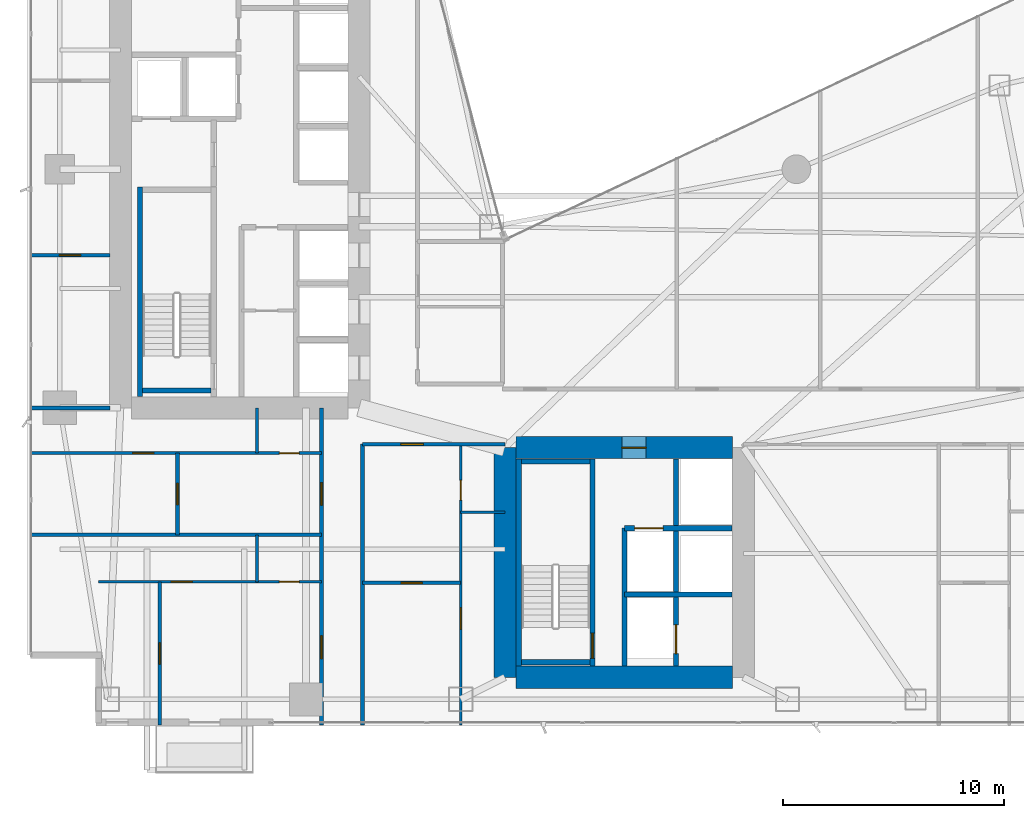
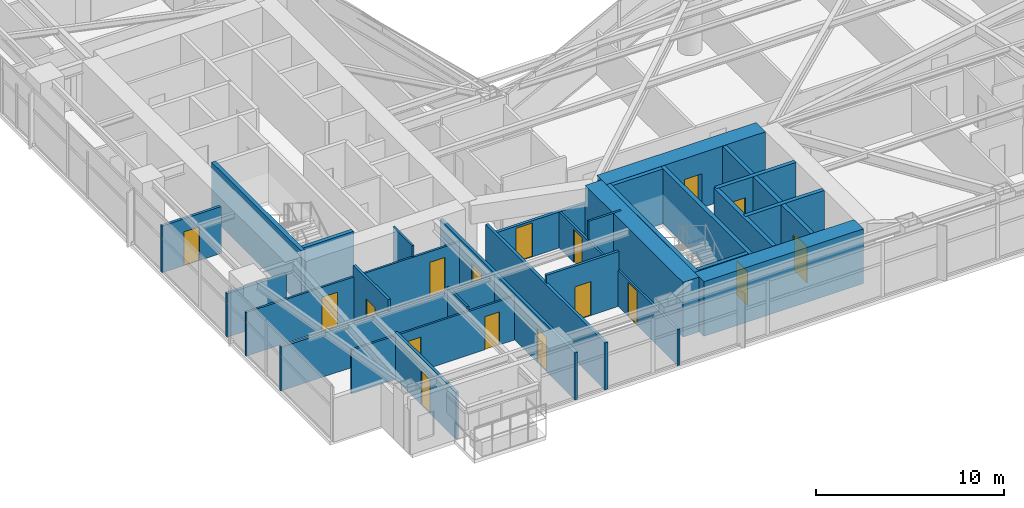
# One storey, part 22 of 29: 28 walls, 17 doors, 17 openings.
"""IFC4 building model written with IfcOpenShell, lengths in metres."""

from ifc_helpers import new_model, si_unit, direction, frame, frame_2d, origin, place, context, subcontext, project, spatial, rectangle, extrude, material, layer, layer_set, type_object, element, fill, save


model = new_model("IFC4")

# Units and contexts
model_context = context("Model", 3, precision=1e-05, world=origin(), true_north=direction((0.0, 1.0)))
body_context = subcontext(model_context, "Body", "Model", "MODEL_VIEW")
ifc_project = project(units=[si_unit("LENGTHUNIT", "METRE"), si_unit("AREAUNIT", "SQUARE_METRE"), si_unit("VOLUMEUNIT", "CUBIC_METRE"), si_unit("PLANEANGLEUNIT", "RADIAN"), si_unit("MASSUNIT", "GRAM", prefix="KILO")], contexts=[model_context])

# Site, building, storey
site_placement = place(None, origin())
site = spatial("IfcSite", under=ifc_project, at=site_placement, CompositionType="ELEMENT")
building_placement = place(site_placement, origin())
building = spatial("IfcBuilding", under=site, at=building_placement, Name="Calvorn Quay Hotel", CompositionType="ELEMENT")
storey_placement = place(building_placement, frame((0.0, 0.0, 85.0)))
storey = spatial("IfcBuildingStorey", under=building, at=storey_placement, Name="L20", CompositionType="ELEMENT", Elevation=85.0)

# Wall
ifc_material_1 = material(Name="Concrete C60", Category="concrete")
ifc_layer_1 = layer(ifc_material_1, 1.0)
ifc_layer_set_1 = layer_set([ifc_layer_1], Name="WL-CORE-1000")
wall_type_1 = type_object("IfcWallType", Name="WL-CORE-1000", PredefinedType="SHEAR", material=ifc_layer_set_1)
wall_1_placement = place(storey_placement, frame((21.60009765625, 4.60009765625, 0.0), z_axis=(0.0, 0.0, 1.0), x_axis=(0.0, 1.0, 0.0)))
element("IfcWall", 1, at=wall_1_placement, inside=storey, type_object=wall_type_1, Name="East Core Shear Wall W (L20)", PredefinedType="SHEAR", context=body_context, shape_type="SweptSolid", body=[
    extrude(rectangle(XDim=10.39990234375, YDim=1.0, at=frame_2d((5.199951171875, 0.0))), origin(), (0.0, 0.0, 1.0), 3.56005859375),
])

# Wall, opening, door
wall_2_placement = place(storey_placement, frame((22.10009765625, 15.0, 0.0), z_axis=(0.0, 0.0, 1.0), x_axis=(1.0, 0.0, 0.0)))
wall_2 = element("IfcWall", 2, at=wall_2_placement, inside=storey, type_object=wall_type_1, Name="East Core Shear Wall N (L20)", PredefinedType="SHEAR", context=body_context, shape_type="SweptSolid", body=[
    extrude(rectangle(XDim=9.7998046875, YDim=1.0, at=frame_2d((4.89990234375, 0.0))), origin(), (0.0, 0.0, 1.0), 3.56005859375),
])
opening_1_placement = place(wall_2_placement, frame((4.800048828125, 0.0, 0.0)))
opening_1 = element("IfcOpeningElement", 3, at=opening_1_placement, cuts=wall_2, Name="Opening D-L20-FLE", PredefinedType="OPENING", context=body_context, shape_type="SweptSolid", body=[
    extrude(rectangle(XDim=1.10009765625, YDim=2.199951171875, at=frame_2d((0.550048828125, 1.10009765625))), frame((0.0, 0.510009765625, 0.0), z_axis=(0.0, -1.0, 0.0), x_axis=(1.0, 0.0, 0.0)), (0.0, 0.0, 1.0), 1.02001953125),
])
ifc_material_2 = material(Name="Smoke-Sealed Steel Class A Fire Door", Category="steel")
door_type_1 = type_object("IfcDoorType", Name="DR-FFLOBBY-1100", OperationType="NOTDEFINED", PredefinedType="DOOR", material=ifc_material_2)
door_1_placement = place(opening_1_placement, origin())
door_1 = element("IfcDoor", 4, at=door_1_placement, inside=storey, type_object=door_type_1, Name="East Firefighting Lobby Fire Door (L20)", OperationType="SINGLE_SWING_RIGHT", OverallHeight=2.199951171875, OverallWidth=1.10009765625, PredefinedType="DOOR", context=body_context, shape_type="SweptSolid", body=[
    extrude(rectangle(XDim=1.10009765625, YDim=2.199951171875, at=frame_2d((0.550048828125, 1.10009765625))), frame((0.0, 0.02490234375, 0.0), z_axis=(0.0, -1.0, 0.0), x_axis=(1.0, 0.0, 0.0)), (0.0, 0.0, 1.0), 0.050048828125),
])
fill(opening_1, door_1)

# Walls
wall_3_placement = place(storey_placement, frame((22.10009765625, 4.60009765625, 0.0), z_axis=(0.0, 0.0, 1.0), x_axis=(1.0, 0.0, 0.0)))
element("IfcWall", 5, at=wall_3_placement, inside=storey, type_object=wall_type_1, Name="East Core Shear Wall S (L20)", PredefinedType="SHEAR", context=body_context, shape_type="SweptSolid", body=[
    extrude(rectangle(XDim=9.7998046875, YDim=1.0, at=frame_2d((4.89990234375, 0.0))), origin(), (0.0, 0.0, 1.0), 3.56005859375),
])
ifc_material_3 = material(Name="Acoustic Fireboard Steel-Stud Partition", Category="steel")
ifc_layer_2 = layer(ifc_material_3, 0.179931640625)
ifc_layer_set_2 = layer_set([ifc_layer_2], Name="WL-CORR-FIRE-180")
wall_type_2 = type_object("IfcWallType", Name="WL-CORR-FIRE-180", PredefinedType="PARTITIONING", material=ifc_layer_set_2)
wall_4_placement = place(storey_placement, frame((0.080078125, 16.800048828125, 0.0), z_axis=(0.0, 0.0, 1.0), x_axis=(1.0, 0.0, 0.0)))
element("IfcWall", 6, at=wall_4_placement, inside=storey, type_object=wall_type_2, Name="Partition Wall L20-WL-WBAY-S-WALL", PredefinedType="PARTITIONING", context=body_context, shape_type="SweptSolid", body=[
    extrude(rectangle(XDim=3.64990234375, YDim=0.179931640625, at=frame_2d((1.824951171875, 0.0))), origin(), (0.0, 0.0, 1.0), 2.840087890625),
])

# Wall, openings, doors
wall_5_placement = place(storey_placement, frame((13.300048828125, 2.43994140625, 0.0), z_axis=(0.0, 0.0, 1.0), x_axis=(0.0, 1.0, 0.0)))
wall_5 = element("IfcWall", 7, at=wall_5_placement, inside=storey, type_object=wall_type_2, Name="Partition Wall L20-WL-CORR-SW-LEG-W", PredefinedType="PARTITIONING", context=body_context, shape_type="SweptSolid", body=[
    extrude(rectangle(XDim=14.360107421875, YDim=0.179931640625, at=frame_2d((7.18017578125, 0.0))), origin(), (0.0, 0.0, 1.0), 3.0400390625),
])
opening_2_placement = place(wall_5_placement, frame((3.010009765625, 0.0, 0.0)))
opening_2 = element("IfcOpeningElement", 8, at=opening_2_placement, cuts=wall_5, Name="Opening D-L20-U01", PredefinedType="OPENING", context=body_context, shape_type="SweptSolid", body=[
    extrude(rectangle(XDim=1.02001953125, YDim=2.199951171875, at=frame_2d((0.510009765625, 1.10009765625))), frame((0.0, 0.099853515625, 0.0), z_axis=(0.0, -1.0, 0.0), x_axis=(1.0, 0.0, 0.0)), (0.0, 0.0, 1.0), 0.199951171875),
])
opening_3_placement = place(wall_5_placement, frame((9.949951171875, 0.0, 0.0)))
opening_3 = element("IfcOpeningElement", 9, at=opening_3_placement, cuts=wall_5, Name="Opening D-L20-U02", PredefinedType="OPENING", context=body_context, shape_type="SweptSolid", body=[
    extrude(rectangle(XDim=1.02001953125, YDim=2.199951171875, at=frame_2d((0.510009765625, 1.10009765625))), frame((0.0, 0.099853515625, 0.0), z_axis=(0.0, -1.0, 0.0), x_axis=(1.0, 0.0, 0.0)), (0.0, 0.0, 1.0), 0.199951171875),
])
ifc_material_4 = material(Name="Solid-Core Walnut Veneer Hotel Fire Door")
door_type_2 = type_object("IfcDoorType", Name="DR-GUEST-ENTRY-1020", OperationType="NOTDEFINED", PredefinedType="DOOR", material=ifc_material_4)
door_2_placement = place(opening_2_placement, origin())
door_2 = element("IfcDoor", 10, at=door_2_placement, inside=storey, type_object=door_type_2, Name="South-West Unit Door U01 (L20)", OperationType="SINGLE_SWING_LEFT", OverallHeight=2.199951171875, OverallWidth=1.02001953125, PredefinedType="DOOR", context=body_context, shape_type="SweptSolid", body=[
    extrude(rectangle(XDim=1.02001953125, YDim=2.199951171875, at=frame_2d((0.510009765625, 1.10009765625))), frame((0.0, 0.02490234375, 0.0), z_axis=(0.0, -1.0, 0.0), x_axis=(1.0, 0.0, 0.0)), (0.0, 0.0, 1.0), 0.050048828125),
])
fill(opening_2, door_2)
door_3_placement = place(opening_3_placement, origin())
door_3 = element("IfcDoor", 11, at=door_3_placement, inside=storey, type_object=door_type_2, Name="South-West Unit Door U02 (L20)", OperationType="SINGLE_SWING_RIGHT", OverallHeight=2.199951171875, OverallWidth=1.02001953125, PredefinedType="DOOR", context=body_context, shape_type="SweptSolid", body=[
    extrude(rectangle(XDim=1.02001953125, YDim=2.199951171875, at=frame_2d((0.510009765625, 1.10009765625))), frame((0.0, 0.02490234375, 0.0), z_axis=(0.0, -1.0, 0.0), x_axis=(1.0, 0.0, 0.0)), (0.0, 0.0, 1.0), 0.050048828125),
])
fill(opening_3, door_3)

# Wall
wall_6_placement = place(storey_placement, frame((15.14990234375, 2.43994140625, 0.0), z_axis=(0.0, 0.0, 1.0), x_axis=(0.0, 1.0, 0.0)))
element("IfcWall", 12, at=wall_6_placement, inside=storey, type_object=wall_type_2, Name="Partition Wall L20-WL-CORR-SW-W", PredefinedType="PARTITIONING", context=body_context, shape_type="SweptSolid", body=[
    extrude(rectangle(XDim=12.7099609375, YDim=0.179931640625, at=frame_2d((6.35498046875, 0.0))), origin(), (0.0, 0.0, 1.0), 3.0400390625),
])

# Wall, opening, door
wall_7_placement = place(storey_placement, frame((15.14990234375, 15.14990234375, 0.0), z_axis=(0.0, 0.0, 1.0), x_axis=(1.0, 0.0, 0.0)))
wall_7 = element("IfcWall", 13, at=wall_7_placement, inside=storey, type_object=wall_type_2, Name="Partition Wall L20-WL-SC-CORR-S", PredefinedType="PARTITIONING", context=body_context, shape_type="SweptSolid", body=[
    extrude(rectangle(XDim=6.4501953125, YDim=0.179931640625, at=frame_2d((3.22509765625, 0.0))), origin(), (0.0, 0.0, 1.0), 2.340087890625),
])
opening_4_placement = place(wall_7_placement, frame((1.739990234375, 0.0, 0.0)))
opening_4 = element("IfcOpeningElement", 14, at=opening_4_placement, cuts=wall_7, Name="Opening D-L20-U03", PredefinedType="OPENING", context=body_context, shape_type="SweptSolid", body=[
    extrude(rectangle(XDim=1.02001953125, YDim=2.199951171875, at=frame_2d((0.510009765625, 1.10009765625))), frame((0.0, 0.099853515625, 0.0), z_axis=(0.0, -1.0, 0.0), x_axis=(1.0, 0.0, 0.0)), (0.0, 0.0, 1.0), 0.199951171875),
])
door_4_placement = place(opening_4_placement, origin())
door_4 = element("IfcDoor", 15, at=door_4_placement, inside=storey, type_object=door_type_2, Name="Harbour Central Unit Door (L20)", OperationType="SINGLE_SWING_LEFT", OverallHeight=2.199951171875, OverallWidth=1.02001953125, PredefinedType="DOOR", context=body_context, shape_type="SweptSolid", body=[
    extrude(rectangle(XDim=1.02001953125, YDim=2.199951171875, at=frame_2d((0.510009765625, 1.10009765625))), frame((0.0, 0.02490234375, 0.0), z_axis=(0.0, -1.0, 0.0), x_axis=(1.0, 0.0, 0.0)), (0.0, 0.0, 1.0), 0.050048828125),
])
fill(opening_4, door_4)

# Wall
ifc_material_5 = material(Name="Moisture-Resistant Tile-Backed Partition")
ifc_layer_3 = layer(ifc_material_5, 0.125)
ifc_layer_set_3 = layer_set([ifc_layer_3], Name="WL-ENSUITE-125")
wall_type_3 = type_object("IfcWallType", Name="WL-ENSUITE-125", PredefinedType="PARTITIONING", material=ifc_layer_set_3)
wall_8_placement = place(storey_placement, frame((10.3798828125, 8.919921875, 0.0), z_axis=(0.0, 0.0, 1.0), x_axis=(0.0, 1.0, 0.0)))
element("IfcWall", 16, at=wall_8_placement, inside=storey, type_object=wall_type_3, Name="Partition Wall L20-WL-U01-BDV", PredefinedType="PARTITIONING", context=body_context, shape_type="SweptSolid", body=[
    extrude(rectangle(XDim=2.130126953125, YDim=0.125, at=frame_2d((1.06494140625, 0.0))), origin(), (0.0, 0.0, 1.0), 3.139892578125),
])

# Wall, openings, doors
wall_9_placement = place(storey_placement, frame((3.199951171875, 8.919921875, 0.0), z_axis=(0.0, 0.0, 1.0), x_axis=(1.0, 0.0, 0.0)))
wall_9 = element("IfcWall", 17, at=wall_9_placement, inside=storey, type_object=wall_type_3, Name="Partition Wall L20-WL-U01-BH", PredefinedType="PARTITIONING", context=body_context, shape_type="SweptSolid", body=[
    extrude(rectangle(XDim=10.10009765625, YDim=0.125, at=frame_2d((5.050048828125, 0.0))), origin(), (0.0, 0.0, 1.0), 2.840087890625),
])
opening_5_placement = place(wall_9_placement, frame((3.2900390625, 0.0, 0.0)))
opening_5 = element("IfcOpeningElement", 18, at=opening_5_placement, cuts=wall_9, Name="Opening D-L20-S01", PredefinedType="OPENING", context=body_context, shape_type="SweptSolid", body=[
    extrude(rectangle(XDim=0.9599609375, YDim=2.199951171875, at=frame_2d((0.47998046875, 1.10009765625))), frame((0.0, 0.072509765625, 0.0), z_axis=(0.0, -1.0, 0.0), x_axis=(1.0, 0.0, 0.0)), (0.0, 0.0, 1.0), 0.14501953125),
])
opening_6_placement = place(wall_9_placement, frame((8.18994140625, 0.0, 0.0)))
opening_6 = element("IfcOpeningElement", 19, at=opening_6_placement, cuts=wall_9, Name="Opening D-L20-E01", PredefinedType="OPENING", context=body_context, shape_type="SweptSolid", body=[
    extrude(rectangle(XDim=0.89990234375, YDim=2.14990234375, at=frame_2d((0.449951171875, 1.074951171875))), frame((0.0, 0.072509765625, 0.0), z_axis=(0.0, -1.0, 0.0), x_axis=(1.0, 0.0, 0.0)), (0.0, 0.0, 1.0), 0.14501953125),
])
ifc_material_6 = material(Name="Moisture-Sealed Timber En-Suite Door", Category="wood")
door_type_3 = type_object("IfcDoorType", Name="DR-ENSUITE-900", OperationType="NOTDEFINED", PredefinedType="DOOR", material=ifc_material_6)
door_5_placement = place(opening_6_placement, origin())
door_5 = element("IfcDoor", 20, at=door_5_placement, inside=storey, type_object=door_type_3, Name="En-Suite Door 01", OperationType="SINGLE_SWING_RIGHT", OverallHeight=2.14990234375, OverallWidth=0.89990234375, PredefinedType="DOOR", context=body_context, shape_type="SweptSolid", body=[
    extrude(rectangle(XDim=0.89990234375, YDim=2.14990234375, at=frame_2d((0.449951171875, 1.074951171875))), frame((0.0, 0.02490234375, 0.0), z_axis=(0.0, -1.0, 0.0), x_axis=(1.0, 0.0, 0.0)), (0.0, 0.0, 1.0), 0.050048828125),
])
fill(opening_6, door_5)
ifc_material_7 = material(Name="Solid Timber Internal Suite Door", Category="wood")
door_type_4 = type_object("IfcDoorType", Name="DR-SUITE-INT-960", OperationType="NOTDEFINED", PredefinedType="DOOR", material=ifc_material_7)
door_6_placement = place(opening_5_placement, origin())
door_6 = element("IfcDoor", 21, at=door_6_placement, inside=storey, type_object=door_type_4, Name="Private Media Cinema Door 01", OperationType="SINGLE_SWING_LEFT", OverallHeight=2.199951171875, OverallWidth=0.9599609375, PredefinedType="DOOR", context=body_context, shape_type="SweptSolid", body=[
    extrude(rectangle(XDim=0.9599609375, YDim=2.199951171875, at=frame_2d((0.47998046875, 1.10009765625))), frame((0.0, 0.02490234375, 0.0), z_axis=(0.0, -1.0, 0.0), x_axis=(1.0, 0.0, 0.0)), (0.0, 0.0, 1.0), 0.050048828125),
])
fill(opening_5, door_6)

# Wall
wall_10_placement = place(storey_placement, frame((10.3798828125, 14.75, 0.0), z_axis=(0.0, 0.0, 1.0), x_axis=(0.0, 1.0, 0.0)))
element("IfcWall", 22, at=wall_10_placement, inside=storey, type_object=wall_type_3, Name="Partition Wall L20-WL-U02-BDV", PredefinedType="PARTITIONING", context=body_context, shape_type="SweptSolid", body=[
    extrude(rectangle(XDim=2.050048828125, YDim=0.125, at=frame_2d((1.02490234375, 0.0))), origin(), (0.0, 0.0, 1.0), 3.56005859375),
])

# Wall, openings, doors
wall_11_placement = place(storey_placement, frame((0.080078125, 14.75, 0.0), z_axis=(0.0, 0.0, 1.0), x_axis=(1.0, 0.0, 0.0)))
wall_11 = element("IfcWall", 23, at=wall_11_placement, inside=storey, type_object=wall_type_3, Name="Partition Wall L20-WL-U02-BH", PredefinedType="PARTITIONING", context=body_context, shape_type="SweptSolid", body=[
    extrude(rectangle(XDim=13.219970703125, YDim=0.125, at=frame_2d((6.60986328125, 0.0))), origin(), (0.0, 0.0, 1.0), 2.840087890625),
])
opening_7_placement = place(wall_11_placement, frame((4.669921875, 0.0, 0.0)))
opening_7 = element("IfcOpeningElement", 24, at=opening_7_placement, cuts=wall_11, Name="Opening D-L20-S02", PredefinedType="OPENING", context=body_context, shape_type="SweptSolid", body=[
    extrude(rectangle(XDim=0.9599609375, YDim=2.199951171875, at=frame_2d((0.47998046875, 1.10009765625))), frame((0.0, 0.072509765625, 0.0), z_axis=(0.0, -1.0, 0.0), x_axis=(1.0, 0.0, 0.0)), (0.0, 0.0, 1.0), 0.14501953125),
])
opening_8_placement = place(wall_11_placement, frame((11.31005859375, 0.0, 0.0)))
opening_8 = element("IfcOpeningElement", 25, at=opening_8_placement, cuts=wall_11, Name="Opening D-L20-E02", PredefinedType="OPENING", context=body_context, shape_type="SweptSolid", body=[
    extrude(rectangle(XDim=0.89990234375, YDim=2.14990234375, at=frame_2d((0.449951171875, 1.074951171875))), frame((0.0, 0.072509765625, 0.0), z_axis=(0.0, -1.0, 0.0), x_axis=(1.0, 0.0, 0.0)), (0.0, 0.0, 1.0), 0.14501953125),
])
door_7_placement = place(opening_8_placement, origin())
door_7 = element("IfcDoor", 26, at=door_7_placement, inside=storey, type_object=door_type_3, Name="En-Suite Door 02", OperationType="SINGLE_SWING_RIGHT", OverallHeight=2.14990234375, OverallWidth=0.89990234375, PredefinedType="DOOR", context=body_context, shape_type="SweptSolid", body=[
    extrude(rectangle(XDim=0.89990234375, YDim=2.14990234375, at=frame_2d((0.449951171875, 1.074951171875))), frame((0.0, 0.02490234375, 0.0), z_axis=(0.0, -1.0, 0.0), x_axis=(1.0, 0.0, 0.0)), (0.0, 0.0, 1.0), 0.050048828125),
])
fill(opening_8, door_7)
door_8_placement = place(opening_7_placement, origin())
door_8 = element("IfcDoor", 27, at=door_8_placement, inside=storey, type_object=door_type_4, Name="Private Media Cinema Door 02", OperationType="SINGLE_SWING_LEFT", OverallHeight=2.199951171875, OverallWidth=0.9599609375, PredefinedType="DOOR", context=body_context, shape_type="SweptSolid", body=[
    extrude(rectangle(XDim=0.9599609375, YDim=2.199951171875, at=frame_2d((0.47998046875, 1.10009765625))), frame((0.0, 0.02490234375, 0.0), z_axis=(0.0, -1.0, 0.0), x_axis=(1.0, 0.0, 0.0)), (0.0, 0.0, 1.0), 0.050048828125),
])
fill(opening_7, door_8)

# Wall
wall_12_placement = place(storey_placement, frame((19.60009765625, 12.070068359375, 0.0), z_axis=(0.0, 0.0, 1.0), x_axis=(1.0, 0.0, 0.0)))
element("IfcWall", 28, at=wall_12_placement, inside=storey, type_object=wall_type_3, Name="Partition Wall L20-WL-U03-BDV", PredefinedType="PARTITIONING", context=body_context, shape_type="SweptSolid", body=[
    extrude(rectangle(XDim=2.0, YDim=0.125, at=frame_2d((1.0, 0.0))), origin(), (0.0, 0.0, 1.0), 3.56005859375),
])

# Wall, openings, doors
wall_13_placement = place(storey_placement, frame((19.60009765625, 2.43994140625, 0.0), z_axis=(0.0, 0.0, 1.0), x_axis=(0.0, 1.0, 0.0)))
wall_13 = element("IfcWall", 29, at=wall_13_placement, inside=storey, type_object=wall_type_3, Name="Partition Wall L20-WL-U03-BV", PredefinedType="PARTITIONING", context=body_context, shape_type="SweptSolid", body=[
    extrude(rectangle(XDim=12.7099609375, YDim=0.125, at=frame_2d((6.35498046875, 0.0))), origin(), (0.0, 0.0, 1.0), 2.340087890625),
])
opening_9_placement = place(wall_13_placement, frame((4.340087890625, 0.0, 0.0)))
opening_9 = element("IfcOpeningElement", 30, at=opening_9_placement, cuts=wall_13, Name="Opening D-L20-S03", PredefinedType="OPENING", context=body_context, shape_type="SweptSolid", body=[
    extrude(rectangle(XDim=0.9599609375, YDim=2.199951171875, at=frame_2d((0.47998046875, 1.10009765625))), frame((0.0, 0.072509765625, 0.0), z_axis=(0.0, -1.0, 0.0), x_axis=(1.0, 0.0, 0.0)), (0.0, 0.0, 1.0), 0.14501953125),
])
opening_10_placement = place(wall_13_placement, frame((10.179931640625, 0.0, 0.0)))
opening_10 = element("IfcOpeningElement", 31, at=opening_10_placement, cuts=wall_13, Name="Opening D-L20-E03", PredefinedType="OPENING", context=body_context, shape_type="SweptSolid", body=[
    extrude(rectangle(XDim=0.89990234375, YDim=2.14990234375, at=frame_2d((0.449951171875, 1.074951171875))), frame((0.0, 0.072509765625, 0.0), z_axis=(0.0, -1.0, 0.0), x_axis=(1.0, 0.0, 0.0)), (0.0, 0.0, 1.0), 0.14501953125),
])
door_9_placement = place(opening_10_placement, origin())
door_9 = element("IfcDoor", 32, at=door_9_placement, inside=storey, type_object=door_type_3, Name="En-Suite Door 03", OperationType="SINGLE_SWING_RIGHT", OverallHeight=2.14990234375, OverallWidth=0.89990234375, PredefinedType="DOOR", context=body_context, shape_type="SweptSolid", body=[
    extrude(rectangle(XDim=0.89990234375, YDim=2.14990234375, at=frame_2d((0.449951171875, 1.074951171875))), frame((0.0, 0.02490234375, 0.0), z_axis=(0.0, -1.0, 0.0), x_axis=(1.0, 0.0, 0.0)), (0.0, 0.0, 1.0), 0.050048828125),
])
fill(opening_10, door_9)
door_10_placement = place(opening_9_placement, origin())
door_10 = element("IfcDoor", 33, at=door_10_placement, inside=storey, type_object=door_type_4, Name="Private Media Cinema Door 03", OperationType="SINGLE_SWING_LEFT", OverallHeight=2.199951171875, OverallWidth=0.9599609375, PredefinedType="DOOR", context=body_context, shape_type="SweptSolid", body=[
    extrude(rectangle(XDim=0.9599609375, YDim=2.199951171875, at=frame_2d((0.47998046875, 1.10009765625))), frame((0.0, 0.02490234375, 0.0), z_axis=(0.0, -1.0, 0.0), x_axis=(1.0, 0.0, 0.0)), (0.0, 0.0, 1.0), 0.050048828125),
])
fill(opening_9, door_10)

# Wall, opening, door
ifc_material_8 = material(Name="Double-Stud Acoustic Gypsum Partition")
ifc_layer_4 = layer(ifc_material_8, 0.159912109375)
ifc_layer_set_4 = layer_set([ifc_layer_4], Name="WL-INTERSUITE-160")
wall_type_4 = type_object("IfcWallType", Name="WL-INTERSUITE-160", PredefinedType="PARTITIONING", material=ifc_layer_set_4)
wall_14_placement = place(storey_placement, frame((0.080078125, 23.699951171875, 0.0), z_axis=(0.0, 0.0, 1.0), x_axis=(1.0, 0.0, 0.0)))
wall_14 = element("IfcWall", 34, at=wall_14_placement, inside=storey, type_object=wall_type_4, Name="Partition Wall L20-WL-WBAY-DIVA", PredefinedType="PARTITIONING", context=body_context, shape_type="SweptSolid", body=[
    extrude(rectangle(XDim=3.64990234375, YDim=0.159912109375, at=frame_2d((1.824951171875, 0.0))), origin(), (0.0, 0.0, 1.0), 3.0400390625),
])
opening_11_placement = place(wall_14_placement, frame((1.35009765625, 0.0, 0.0)))
opening_11 = element("IfcOpeningElement", 35, at=opening_11_placement, cuts=wall_14, Name="Opening D-L20-WBA", PredefinedType="OPENING", context=body_context, shape_type="SweptSolid", body=[
    extrude(rectangle(XDim=0.9599609375, YDim=2.199951171875, at=frame_2d((0.47998046875, 1.10009765625))), frame((0.0, 0.08984375, 0.0), z_axis=(0.0, -1.0, 0.0), x_axis=(1.0, 0.0, 0.0)), (0.0, 0.0, 1.0), 0.179931640625),
])
door_11_placement = place(opening_11_placement, origin())
door_11 = element("IfcDoor", 36, at=door_11_placement, inside=storey, type_object=door_type_4, Name="West South Connecting Door (L20)", OperationType="SINGLE_SWING_LEFT", OverallHeight=2.199951171875, OverallWidth=0.9599609375, PredefinedType="DOOR", context=body_context, shape_type="SweptSolid", body=[
    extrude(rectangle(XDim=0.9599609375, YDim=2.199951171875, at=frame_2d((0.47998046875, 1.10009765625))), frame((0.0, 0.02490234375, 0.0), z_axis=(0.0, -1.0, 0.0), x_axis=(1.0, 0.0, 0.0)), (0.0, 0.0, 1.0), 0.050048828125),
])
fill(opening_11, door_11)

wall_15_placement = place(storey_placement, frame((5.97998046875, 2.43994140625, 0.0), z_axis=(0.0, 0.0, 1.0), x_axis=(0.0, 1.0, 0.0)))
wall_15 = element("IfcWall", 37, at=wall_15_placement, inside=storey, type_object=wall_type_4, Name="Partition Wall L20-WL-U01-MSP", PredefinedType="PARTITIONING", context=body_context, shape_type="SweptSolid", body=[
    extrude(rectangle(XDim=6.47998046875, YDim=0.159912109375, at=frame_2d((3.239990234375, 0.0))), origin(), (0.0, 0.0, 1.0), 3.0400390625),
])
opening_12_placement = place(wall_15_placement, frame((2.760009765625, 0.0, 0.0)))
opening_12 = element("IfcOpeningElement", 38, at=opening_12_placement, cuts=wall_15, Name="Opening D-L20-M01", PredefinedType="OPENING", context=body_context, shape_type="SweptSolid", body=[
    extrude(rectangle(XDim=0.9599609375, YDim=2.199951171875, at=frame_2d((0.47998046875, 1.10009765625))), frame((0.0, 0.08984375, 0.0), z_axis=(0.0, -1.0, 0.0), x_axis=(1.0, 0.0, 0.0)), (0.0, 0.0, 1.0), 0.179931640625),
])
door_12_placement = place(opening_12_placement, origin())
door_12 = element("IfcDoor", 39, at=door_12_placement, inside=storey, type_object=door_type_4, Name="Suite Bedroom Door 01", OperationType="SINGLE_SWING_LEFT", OverallHeight=2.199951171875, OverallWidth=0.9599609375, PredefinedType="DOOR", context=body_context, shape_type="SweptSolid", body=[
    extrude(rectangle(XDim=0.9599609375, YDim=2.199951171875, at=frame_2d((0.47998046875, 1.10009765625))), frame((0.0, 0.02490234375, 0.0), z_axis=(0.0, -1.0, 0.0), x_axis=(1.0, 0.0, 0.0)), (0.0, 0.0, 1.0), 0.050048828125),
])
fill(opening_12, door_12)

wall_16_placement = place(storey_placement, frame((6.780029296875, 11.050048828125, 0.0), z_axis=(0.0, 0.0, 1.0), x_axis=(0.0, 1.0, 0.0)))
wall_16 = element("IfcWall", 40, at=wall_16_placement, inside=storey, type_object=wall_type_4, Name="Partition Wall L20-WL-U02-MSP", PredefinedType="PARTITIONING", context=body_context, shape_type="SweptSolid", body=[
    extrude(rectangle(XDim=3.699951171875, YDim=0.159912109375, at=frame_2d((1.85009765625, 0.0))), origin(), (0.0, 0.0, 1.0), 3.56005859375),
])
opening_13_placement = place(wall_16_placement, frame((1.3701171875, 0.0, 0.0)))
opening_13 = element("IfcOpeningElement", 41, at=opening_13_placement, cuts=wall_16, Name="Opening D-L20-M02", PredefinedType="OPENING", context=body_context, shape_type="SweptSolid", body=[
    extrude(rectangle(XDim=0.9599609375, YDim=2.199951171875, at=frame_2d((0.47998046875, 1.10009765625))), frame((0.0, 0.08984375, 0.0), z_axis=(0.0, -1.0, 0.0), x_axis=(1.0, 0.0, 0.0)), (0.0, 0.0, 1.0), 0.179931640625),
])
door_13_placement = place(opening_13_placement, origin())
door_13 = element("IfcDoor", 42, at=door_13_placement, inside=storey, type_object=door_type_4, Name="Suite Bedroom Door 02", OperationType="SINGLE_SWING_LEFT", OverallHeight=2.199951171875, OverallWidth=0.9599609375, PredefinedType="DOOR", context=body_context, shape_type="SweptSolid", body=[
    extrude(rectangle(XDim=0.9599609375, YDim=2.199951171875, at=frame_2d((0.47998046875, 1.10009765625))), frame((0.0, 0.02490234375, 0.0), z_axis=(0.0, -1.0, 0.0), x_axis=(1.0, 0.0, 0.0)), (0.0, 0.0, 1.0), 0.050048828125),
])
fill(opening_13, door_13)

# Wall
wall_17_placement = place(storey_placement, frame((0.080078125, 11.050048828125, 0.0), z_axis=(0.0, 0.0, 1.0), x_axis=(1.0, 0.0, 0.0)))
element("IfcWall", 43, at=wall_17_placement, inside=storey, type_object=wall_type_4, Name="Partition Wall L20-WL-SW-DIV-1", PredefinedType="PARTITIONING", context=body_context, shape_type="SweptSolid", body=[
    extrude(rectangle(XDim=13.219970703125, YDim=0.159912109375, at=frame_2d((6.60986328125, 0.0))), origin(), (0.0, 0.0, 1.0), 2.840087890625),
])

# Wall, opening, door
wall_18_placement = place(storey_placement, frame((15.14990234375, 8.8701171875, 0.0), z_axis=(0.0, 0.0, 1.0), x_axis=(1.0, 0.0, 0.0)))
wall_18 = element("IfcWall", 44, at=wall_18_placement, inside=storey, type_object=wall_type_4, Name="Partition Wall L20-WL-U03-MSP", PredefinedType="PARTITIONING", context=body_context, shape_type="SweptSolid", body=[
    extrude(rectangle(XDim=4.4501953125, YDim=0.159912109375, at=frame_2d((2.22509765625, 0.0))), origin(), (0.0, 0.0, 1.0), 3.56005859375),
])
opening_14_placement = place(wall_18_placement, frame((1.75, 0.0, 0.0)))
opening_14 = element("IfcOpeningElement", 45, at=opening_14_placement, cuts=wall_18, Name="Opening D-L20-M03", PredefinedType="OPENING", context=body_context, shape_type="SweptSolid", body=[
    extrude(rectangle(XDim=0.9599609375, YDim=2.199951171875, at=frame_2d((0.47998046875, 1.10009765625))), frame((0.0, 0.08984375, 0.0), z_axis=(0.0, -1.0, 0.0), x_axis=(1.0, 0.0, 0.0)), (0.0, 0.0, 1.0), 0.179931640625),
])
door_14_placement = place(opening_14_placement, origin())
door_14 = element("IfcDoor", 46, at=door_14_placement, inside=storey, type_object=door_type_4, Name="Suite Bedroom Door 03", OperationType="SINGLE_SWING_LEFT", OverallHeight=2.199951171875, OverallWidth=0.9599609375, PredefinedType="DOOR", context=body_context, shape_type="SweptSolid", body=[
    extrude(rectangle(XDim=0.9599609375, YDim=2.199951171875, at=frame_2d((0.47998046875, 1.10009765625))), frame((0.0, 0.02490234375, 0.0), z_axis=(0.0, -1.0, 0.0), x_axis=(1.0, 0.0, 0.0)), (0.0, 0.0, 1.0), 0.050048828125),
])
fill(opening_14, door_14)

# Walls
ifc_material_9 = material(Name="Concrete C40", Category="concrete")
ifc_layer_5 = layer(ifc_material_9, 0.239990234375)
ifc_layer_set_5 = layer_set([ifc_layer_5], Name="WL-SHAFT-240")
wall_type_5 = type_object("IfcWallType", Name="WL-SHAFT-240", PredefinedType="SOLIDWALL", material=ifc_layer_set_5)
wall_19_placement = place(storey_placement, frame((5.080078125, 17.300048828125, 0.0), z_axis=(0.0, 0.0, 1.0), x_axis=(0.0, 1.0, 0.0)))
element("IfcWall", 47, at=wall_19_placement, inside=storey, type_object=wall_type_5, Name="Stair STW Shaft Wall W (L20)", PredefinedType="SOLIDWALL", context=body_context, shape_type="SweptSolid", body=[
    extrude(rectangle(XDim=9.489990234375, YDim=0.239990234375, at=frame_2d((4.7451171875, 0.0))), origin(), (0.0, 0.0, 1.0), 3.56005859375),
])
wall_20_placement = place(storey_placement, frame((5.199951171875, 17.580078125, 0.0), z_axis=(0.0, 0.0, 1.0), x_axis=(1.0, 0.0, 0.0)))
element("IfcWall", 48, at=wall_20_placement, inside=storey, type_object=wall_type_5, Name="Stair STW Shaft Wall S (L20)", PredefinedType="SOLIDWALL", context=body_context, shape_type="SweptSolid", body=[
    extrude(rectangle(XDim=3.10009765625, YDim=0.239990234375, at=frame_2d((1.550048828125, 0.0))), origin(), (0.0, 0.0, 1.0), 3.56005859375),
])
wall_21_placement = place(storey_placement, frame((22.22998046875, 5.10009765625, 0.0), z_axis=(0.0, 0.0, 1.0), x_axis=(0.0, 1.0, 0.0)))
element("IfcWall", 49, at=wall_21_placement, inside=storey, type_object=wall_type_5, Name="Stair STE Shaft Wall W (L20)", PredefinedType="SOLIDWALL", context=body_context, shape_type="SweptSolid", body=[
    extrude(rectangle(XDim=9.389892578125, YDim=0.239990234375, at=frame_2d((4.69482421875, 0.0))), origin(), (0.0, 0.0, 1.0), 3.56005859375),
])

# Wall, opening, door
wall_22_placement = place(storey_placement, frame((25.570068359375, 5.10009765625, 0.0), z_axis=(0.0, 0.0, 1.0), x_axis=(0.0, 1.0, 0.0)))
wall_22 = element("IfcWall", 50, at=wall_22_placement, inside=storey, type_object=wall_type_5, Name="Stair STE Shaft Wall E (L20)", PredefinedType="SOLIDWALL", context=body_context, shape_type="SweptSolid", body=[
    extrude(rectangle(XDim=9.389892578125, YDim=0.239990234375, at=frame_2d((4.69482421875, 0.0))), origin(), (0.0, 0.0, 1.0), 3.56005859375),
])
opening_15_placement = place(wall_22_placement, frame((0.35009765625, 0.0, 0.0)))
opening_15 = element("IfcOpeningElement", 51, at=opening_15_placement, cuts=wall_22, Name="Opening D-L20-STE", PredefinedType="OPENING", context=body_context, shape_type="SweptSolid", body=[
    extrude(rectangle(XDim=1.14990234375, YDim=2.199951171875, at=frame_2d((0.574951171875, 1.10009765625))), frame((0.0, 0.1298828125, 0.0), z_axis=(0.0, -1.0, 0.0), x_axis=(1.0, 0.0, 0.0)), (0.0, 0.0, 1.0), 0.260009765625),
])
ifc_material_10 = material(Name="Galvanised Steel Class A Fire Door", Category="steel")
door_type_5 = type_object("IfcDoorType", Name="DR-STAIR-SMOKE-1150", OperationType="NOTDEFINED", PredefinedType="DOOR", material=ifc_material_10)
door_15_placement = place(opening_15_placement, origin())
door_15 = element("IfcDoor", 52, at=door_15_placement, inside=storey, type_object=door_type_5, Name="Stair ST-E Fire Door (L20)", OperationType="SINGLE_SWING_RIGHT", OverallHeight=2.199951171875, OverallWidth=1.14990234375, PredefinedType="DOOR", context=body_context, shape_type="SweptSolid", body=[
    extrude(rectangle(XDim=1.14990234375, YDim=2.199951171875, at=frame_2d((0.574951171875, 1.10009765625))), frame((0.0, 0.02490234375, 0.0), z_axis=(0.0, -1.0, 0.0), x_axis=(1.0, 0.0, 0.0)), (0.0, 0.0, 1.0), 0.050048828125),
])
fill(opening_15, door_15)

# Walls
for number, where, z_axis, x_axis, name in (
    (53, (22.35009765625, 5.280029296875, 0.0), (0.0, 0.0, 1.0), (1.0, 0.0, 0.0), "Stair STE Shaft Wall S (L20)"),
    (54, (22.35009765625, 14.3701171875, 0.0), (0.0, 0.0, 1.0), (1.0, 0.0, 0.0), "Stair STE Shaft Wall N (L20)"),
):
    element("IfcWall", number, at=place(storey_placement, frame(where, z_axis=z_axis, x_axis=x_axis)), inside=storey, type_object=wall_type_5, Name=name, PredefinedType="SOLIDWALL", context=body_context, shape_type="SweptSolid", body=[
        extrude(rectangle(XDim=3.099853515625, YDim=0.239990234375, at=frame_2d((1.5498046875, 0.0))), origin(), (0.0, 0.0, 1.0), 3.56005859375),
    ])
wall_23_placement = place(storey_placement, frame((27.02001953125, 5.1201171875, 0.0), z_axis=(0.0, 0.0, 1.0), x_axis=(0.0, 1.0, 0.0)))
element("IfcWall", 55, at=wall_23_placement, inside=storey, type_object=wall_type_5, Name="Partition Wall L20-WL-CWE-SH-W", PredefinedType="SOLIDWALL", context=body_context, shape_type="SweptSolid", body=[
    extrude(rectangle(XDim=6.22998046875, YDim=0.239990234375, at=frame_2d((3.114990234375, 0.0))), origin(), (0.0, 0.0, 1.0), 3.56005859375),
])

# Wall, opening, door
wall_24_placement = place(storey_placement, frame((27.02001953125, 11.35009765625, 0.0), z_axis=(0.0, 0.0, 1.0), x_axis=(1.0, 0.0, 0.0)))
wall_24 = element("IfcWall", 56, at=wall_24_placement, inside=storey, type_object=wall_type_5, Name="Partition Wall L20-WL-CWE-FFL-S", PredefinedType="SOLIDWALL", context=body_context, shape_type="SweptSolid", body=[
    extrude(rectangle(XDim=4.85986328125, YDim=0.239990234375, at=frame_2d((2.429931640625, 0.0))), origin(), (0.0, 0.0, 1.0), 3.56005859375),
])
opening_16_placement = place(wall_24_placement, frame((0.449951171875, 0.0, 0.0)))
opening_16 = element("IfcOpeningElement", 57, at=opening_16_placement, cuts=wall_24, Name="Opening LD-L20-FLE1", PredefinedType="OPENING", context=body_context, shape_type="SweptSolid", body=[
    extrude(rectangle(XDim=1.300048828125, YDim=2.35009765625, at=frame_2d((0.64990234375, 1.175048828125))), frame((0.0, 0.1298828125, 0.0), z_axis=(0.0, -1.0, 0.0), x_axis=(1.0, 0.0, 0.0)), (0.0, 0.0, 1.0), 0.260009765625),
])
ifc_material_11 = material(Name="Champagne-Bronze Sliding Express Lift Landing Door")
door_type_6 = type_object("IfcDoorType", Name="DR-LIFT-SHUTTLE-1300", OperationType="NOTDEFINED", PredefinedType="DOOR", material=ifc_material_11)
door_16_placement = place(opening_16_placement, origin())
door_16 = element("IfcDoor", 58, at=door_16_placement, inside=storey, type_object=door_type_6, Name="Firefighting Lift FL-E1 Landing Door (L20)", OperationType="DOUBLE_DOOR_SLIDING", OverallHeight=2.35009765625, OverallWidth=1.300048828125, PredefinedType="DOOR", context=body_context, shape_type="SweptSolid", body=[
    extrude(rectangle(XDim=1.300048828125, YDim=2.35009765625, at=frame_2d((0.64990234375, 1.175048828125))), frame((0.0, 0.02490234375, 0.0), z_axis=(0.0, -1.0, 0.0), x_axis=(1.0, 0.0, 0.0)), (0.0, 0.0, 1.0), 0.050048828125),
])
fill(opening_16, door_16)

# Wall
wall_25_placement = place(storey_placement, frame((27.02001953125, 8.35009765625, 0.0), z_axis=(0.0, 0.0, 1.0), x_axis=(1.0, 0.0, 0.0)))
element("IfcWall", 59, at=wall_25_placement, inside=storey, type_object=wall_type_5, Name="Partition Wall L20-WL-CWE-SL-N", PredefinedType="SOLIDWALL", context=body_context, shape_type="SweptSolid", body=[
    extrude(rectangle(XDim=4.85986328125, YDim=0.239990234375, at=frame_2d((2.429931640625, 0.0))), origin(), (0.0, 0.0, 1.0), 3.56005859375),
])

# Wall, opening, door
wall_26_placement = place(storey_placement, frame((29.35009765625, 5.1201171875, 0.0), z_axis=(0.0, 0.0, 1.0), x_axis=(0.0, 1.0, 0.0)))
wall_26 = element("IfcWall", 60, at=wall_26_placement, inside=storey, type_object=wall_type_5, Name="Partition Wall L20-WL-CWE-OB-W", PredefinedType="SOLIDWALL", context=body_context, shape_type="SweptSolid", body=[
    extrude(rectangle(XDim=9.35986328125, YDim=0.239990234375, at=frame_2d((4.679931640625, 0.0))), origin(), (0.0, 0.0, 1.0), 3.56005859375),
])
opening_17_placement = place(wall_26_placement, frame((0.550048828125, 0.0, 0.0)))
opening_17 = element("IfcOpeningElement", 61, at=opening_17_placement, cuts=wall_26, Name="Opening LD-L20-SLEI", PredefinedType="OPENING", context=body_context, shape_type="SweptSolid", body=[
    extrude(rectangle(XDim=1.300048828125, YDim=2.35009765625, at=frame_2d((0.64990234375, 1.175048828125))), frame((0.0, 0.1298828125, 0.0), z_axis=(0.0, -1.0, 0.0), x_axis=(1.0, 0.0, 0.0)), (0.0, 0.0, 1.0), 0.260009765625),
])
door_17_placement = place(opening_17_placement, origin())
door_17 = element("IfcDoor", 62, at=door_17_placement, inside=storey, type_object=door_type_6, Name="Service Lift SL-E1 Landing Door (L20)", OperationType="DOUBLE_DOOR_SLIDING", OverallHeight=2.35009765625, OverallWidth=1.300048828125, PredefinedType="DOOR", context=body_context, shape_type="SweptSolid", body=[
    extrude(rectangle(XDim=1.300048828125, YDim=2.35009765625, at=frame_2d((0.64990234375, 1.175048828125))), frame((0.0, 0.02490234375, 0.0), z_axis=(0.0, -1.0, 0.0), x_axis=(1.0, 0.0, 0.0)), (0.0, 0.0, 1.0), 0.050048828125),
])
fill(opening_17, door_17)

save(model, "model.ifc")
